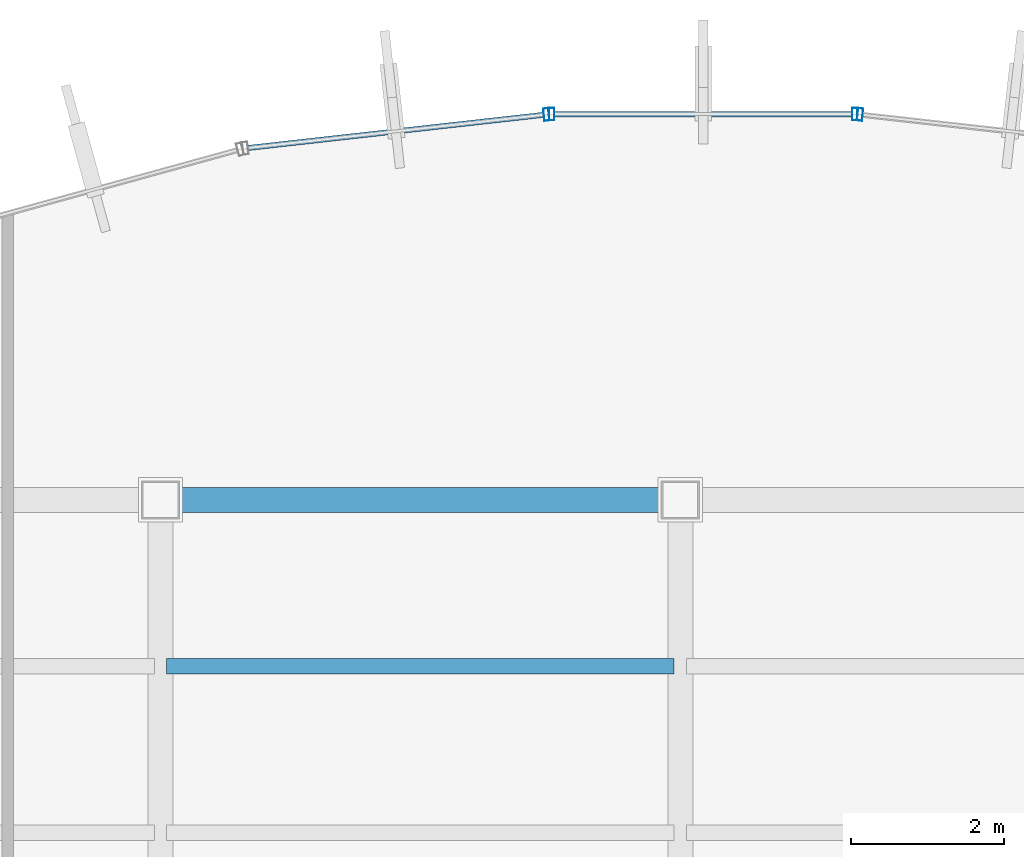
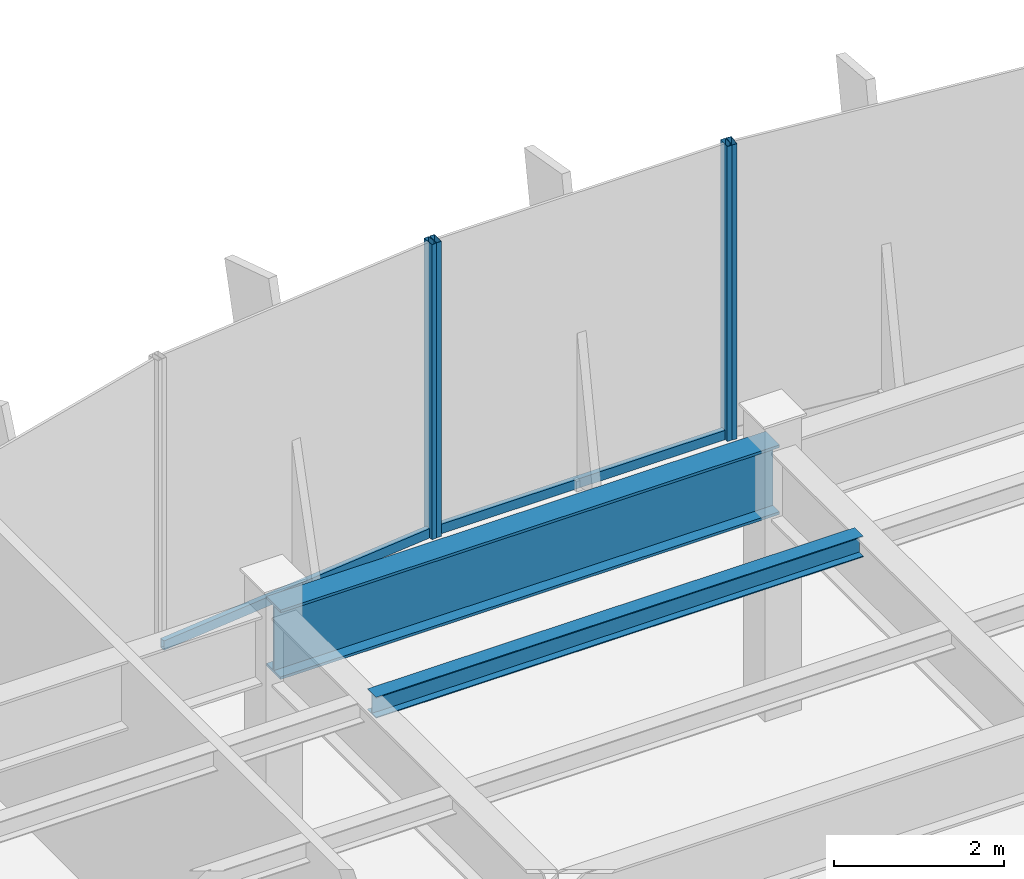
# One storey, part 15 of 24: 6 members, 2 beams, 3 elements without a shape of their own.
"""IFC4 building model written with IfcOpenShell, lengths in metres."""

from ifc_helpers import new_model, si_unit, derived_unit, direction, frame, origin, origin_2d, place, context, subcontext, project, spatial, hollow_rectangle, i_section, extrude, source, transform, mapped, material, material_profile, profile_set, type_object, element, aggregate, save


model = new_model("IFC4")

# Units and contexts
model_context = context("Model", 3, precision=1e-05, world=origin(), true_north=direction((0.0, 1.0)))
body_context = subcontext(model_context, "Body", "Model", "MODEL_VIEW")
ifc_project = project(units=[si_unit("LENGTHUNIT", "METRE"), si_unit("AREAUNIT", "SQUARE_METRE"), si_unit("VOLUMEUNIT", "CUBIC_METRE"), si_unit("PLANEANGLEUNIT", "RADIAN"), si_unit("MASSUNIT", "GRAM", prefix="KILO"), derived_unit("THERMALTRANSMITTANCEUNIT", [(si_unit("POWERUNIT", "WATT"), 1), (si_unit("LENGTHUNIT", "METRE"), -2), (si_unit("THERMODYNAMICTEMPERATUREUNIT", "KELVIN"), -1)])], contexts=[model_context])

# Site, building, storey
site_placement = place(None, origin())
site = spatial("IfcSite", under=ifc_project, at=site_placement, CompositionType="ELEMENT")
building_placement = place(site_placement, origin())
building = spatial("IfcBuilding", under=site, at=building_placement, Name="Skarnbrae Concourse Arena and Tower", CompositionType="ELEMENT")
storey_placement = place(building_placement, frame((0.0, 0.0, 288.0)))
storey = spatial("IfcBuildingStorey", under=building, at=storey_placement, Name="L75", CompositionType="ELEMENT", Elevation=288.0)

# Beams
ifc_material_1 = material(Name="Steel CSA G40.21 350W", Category="steel")
ifc_material_profile_1 = material_profile(ifc_material_1, i_section(OverallWidth=0.327880859375, OverallDepth=1.0, WebThickness=0.02099609375, FlangeThickness=0.03759765625, at=origin_2d()), Name="W1000X371")
ifc_profile_set_1 = profile_set([ifc_material_profile_1], Name="Steel CSA G40.21 350W")
beam_type_1 = type_object("IfcBeamType", Name="BM-XFER-W1000X371", PredefinedType="BEAM", material=ifc_profile_set_1)
shared_shape_1 = source(origin(), body_context, "Body", "SweptSolid", [
    extrude(i_section(OverallWidth=0.327880859375, OverallDepth=1.0, WebThickness=0.02099609375, FlangeThickness=0.03759765625, at=origin_2d()), origin(), (0.0, 0.0, 1.0), 6.800048828125),
])
beam_1_placement = place(storey_placement, frame((14.39990234375, 34.39990234375, 3.35009765625), z_axis=(1.0, 0.0, 0.0), x_axis=(0.0, 1.0, 0.0)))
element("IfcBeam", 1, at=beam_1_placement, inside=storey, type_object=beam_type_1, Name="L75 Perimeter spandrel Y34.4-2", PredefinedType="BEAM", context=body_context, shape_type="MappedRepresentation", body=[
    mapped(shared_shape_1, transform((0.0, 0.0, 0.0))),
])
ifc_material_profile_2 = material_profile(ifc_material_1, i_section(OverallWidth=0.202880859375, OverallDepth=0.302978515625, WebThickness=0.007568359375, FlangeThickness=0.01318359375, at=origin_2d()), Name="W310X60")
ifc_profile_set_2 = profile_set([ifc_material_profile_2], Name="Steel CSA G40.21 350W")
beam_type_2 = type_object("IfcBeamType", Name="BM-JOIST-W310X60", PredefinedType="JOIST", material=ifc_profile_set_2)
shared_shape_2 = source(origin(), body_context, "Body", "SweptSolid", [
    extrude(i_section(OverallWidth=0.202880859375, OverallDepth=0.302978515625, WebThickness=0.007568359375, FlangeThickness=0.01318359375, at=origin_2d()), origin(), (0.0, 0.0, 1.0), 6.64013671875),
])
beam_2_placement = place(storey_placement, frame((14.47998046875, 32.221923828125, 3.698486328125), z_axis=(1.0, 0.0, 0.0), x_axis=(0.0, 1.0, 0.0)))
element("IfcBeam", 2, at=beam_2_placement, inside=storey, type_object=beam_type_2, Name="L75 Secondary floor joist 3.2.2", PredefinedType="JOIST", context=body_context, shape_type="MappedRepresentation", body=[
    mapped(shared_shape_2, transform((0.0, 0.0, 0.0))),
])

# Curtain wall, member
ifc_material_2 = material(Name="Bronze anodised aluminium 6063-T6", Category="aluminium")
curtain_wall_type = type_object("IfcCurtainWallType", Name="CW-SYS-06-SKYLOBBY", PredefinedType="USERDEFINED", material=ifc_material_2)
curtain_wall_1_placement = place(storey_placement, origin())
curtain_wall_1 = element("IfcCurtainWall", 3, at=curtain_wall_1_placement, inside=storey, type_object=curtain_wall_type, Name="L75 Unitised curtain wall CW-L75-E10", ObjectType="UNITISED CURTAIN WALL", PredefinedType="USERDEFINED")
ifc_material_profile_3 = material_profile(ifc_material_2, hollow_rectangle(XDim=0.070068359375, YDim=0.1650390625, WallThickness=0.00390625, at=origin_2d()), Name="ALU-MULL-70X165")
ifc_profile_set_3 = profile_set([ifc_material_profile_3], Name="Bronze anodised aluminium 6063-T6")
member_type_1 = type_object("IfcMemberType", Name="CWM-CW-06", PredefinedType="MULLION", material=ifc_profile_set_3)
shared_shape_3 = source(origin(), body_context, "Body", "SweptSolid", [
    extrude(hollow_rectangle(XDim=0.070068359375, YDim=0.1650390625, WallThickness=0.00390625, at=origin_2d()), origin(), (0.0, 0.0, 1.0), 4.25),
])
member_1_placement = place(storey_placement, frame((23.552001953125, 39.44287109375, 0.0), z_axis=(0.0, 0.0, 1.0), x_axis=(-0.993768891873, 0.111460259941, 0.0)))
member_1 = element("IfcMember", 4, at=member_1_placement, type_object=member_type_1, Name="CW-L75-E10 Mullion 2", PredefinedType="MULLION", context=body_context, shape_type="MappedRepresentation", body=[
    mapped(shared_shape_3, transform((0.0, 0.0, 0.0))),
])
aggregate(curtain_wall_1, [member_1])

# Curtain wall, members
curtain_wall_2_placement = place(storey_placement, origin())
curtain_wall_2 = element("IfcCurtainWall", 5, at=curtain_wall_2_placement, inside=storey, type_object=curtain_wall_type, Name="L75 Unitised curtain wall CW-L75-E11", ObjectType="UNITISED CURTAIN WALL", PredefinedType="USERDEFINED")
member_2_placement = place(storey_placement, frame((23.482177734375, 39.44677734375, 0.0), z_axis=(0.0, 0.0, 1.0), x_axis=(-1.0, 0.0, 0.0)))
member_2 = element("IfcMember", 6, at=member_2_placement, type_object=member_type_1, Name="CW-L75-E11 Mullion 1", PredefinedType="MULLION", context=body_context, shape_type="MappedRepresentation", body=[
    mapped(shared_shape_3, transform((0.0, 0.0, 0.0))),
])
member_3_placement = place(storey_placement, frame((19.517822265625, 39.44677734375, 0.0), z_axis=(0.0, 0.0, 1.0), x_axis=(-1.0, 0.0, 0.0)))
member_3 = element("IfcMember", 7, at=member_3_placement, type_object=member_type_1, Name="CW-L75-E11 Mullion 2", PredefinedType="MULLION", context=body_context, shape_type="MappedRepresentation", body=[
    mapped(shared_shape_3, transform((0.0, 0.0, 0.0))),
])

curtain_wall_3_placement = place(storey_placement, origin())
curtain_wall_3 = element("IfcCurtainWall", 8, at=curtain_wall_3_placement, inside=storey, type_object=curtain_wall_type, Name="L75 Unitised curtain wall CW-L75-E12", ObjectType="UNITISED CURTAIN WALL", PredefinedType="USERDEFINED")
member_4_placement = place(storey_placement, frame((19.447998046875, 39.44287109375, 0.0), z_axis=(0.0, 0.0, 1.0), x_axis=(-0.993768891873, -0.111460259941, 0.0)))
member_4 = element("IfcMember", 9, at=member_4_placement, type_object=member_type_1, Name="CW-L75-E12 Mullion 1", PredefinedType="MULLION", context=body_context, shape_type="MappedRepresentation", body=[
    mapped(shared_shape_3, transform((0.0, 0.0, 0.0))),
])
ifc_material_profile_4 = material_profile(ifc_material_2, hollow_rectangle(XDim=0.070068359375, YDim=0.135009765625, WallThickness=0.00390625, at=origin_2d()), Name="ALU-TRAN-70X135")
ifc_profile_set_4 = profile_set([ifc_material_profile_4], Name="Bronze anodised aluminium 6063-T6")
member_type_2 = type_object("IfcMemberType", Name="CWT-CW-06", PredefinedType="USERDEFINED", material=ifc_profile_set_4)
shared_shape_4 = source(origin(), body_context, "Body", "SweptSolid", [
    extrude(hollow_rectangle(XDim=0.070068359375, YDim=0.135009765625, WallThickness=0.00390625, at=origin_2d()), origin(), (0.0, 0.0, 1.0), 3.8935546875),
])
member_5_placement = place(storey_placement, frame((19.4130859375, 39.43896484375, 0.0673828125), z_axis=(-0.99376618391, -0.111484401224, 0.0), x_axis=(0.111484401224, -0.99376618391, 0.0)))
member_5 = element("IfcMember", 10, at=member_5_placement, type_object=member_type_2, Name="CW-L75-E12 Transom 1", ObjectType="TRANSOM", PredefinedType="USERDEFINED", context=body_context, shape_type="MappedRepresentation", body=[
    mapped(shared_shape_4, transform((0.0, 0.0, 0.0))),
])
aggregate(curtain_wall_3, [member_4, member_5])

# Member
shared_shape_5 = source(origin(), body_context, "Body", "SweptSolid", [
    extrude(hollow_rectangle(XDim=0.070068359375, YDim=0.135009765625, WallThickness=0.00390625, at=origin_2d()), origin(), (0.0, 0.0, 1.0), 3.89453125),
])
member_6_placement = place(storey_placement, frame((23.447265625, 39.44677734375, 0.0673828125), z_axis=(-1.0, 0.0, 0.0), x_axis=(0.0, -1.0, 0.0)))
member_6 = element("IfcMember", 11, at=member_6_placement, type_object=member_type_2, Name="CW-L75-E11 Transom 1", ObjectType="TRANSOM", PredefinedType="USERDEFINED", context=body_context, shape_type="MappedRepresentation", body=[
    mapped(shared_shape_5, transform((0.0, 0.0, 0.0))),
])

aggregate(curtain_wall_2, [member_2, member_3, member_6])

save(model, "model.ifc")
